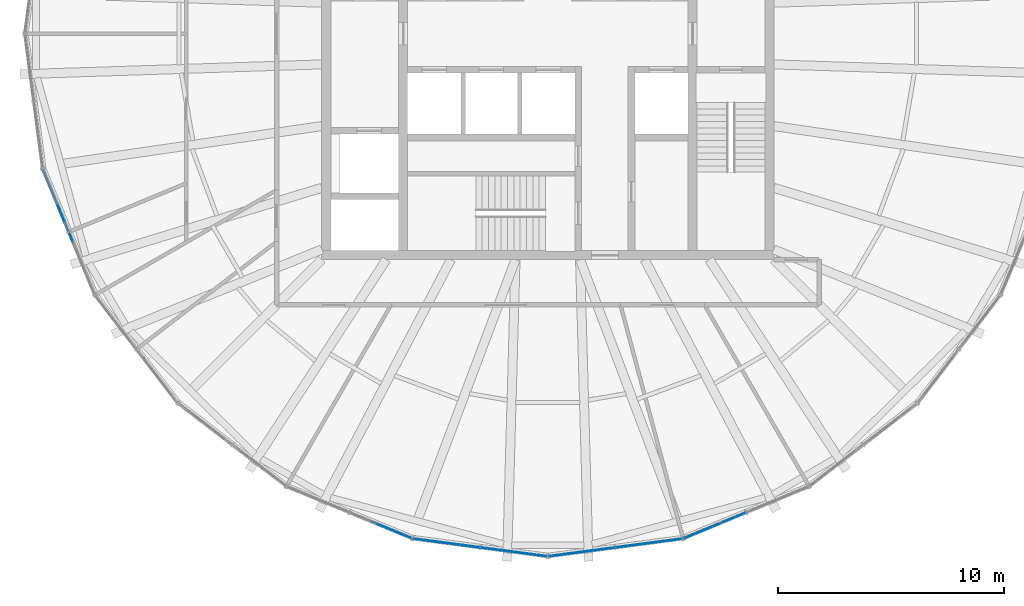
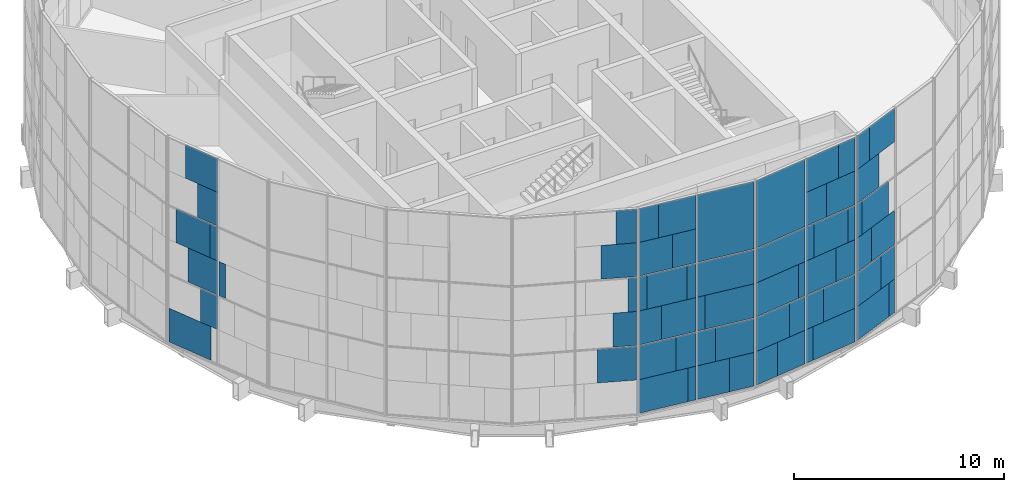
# One storey, part 10 of 23: 66 plates, 5 elements without a shape of their own.
"""IFC4 building model written with IfcOpenShell, lengths in metres."""

import ifcopenshell
import ifcopenshell.guid

model = None  # the IFC model being written
_history = None  # IfcOwnerHistory: only IFC2X3 demands one
_inside = {}  # id of a spatial element -> (the spatial element, [elements in it])
_under = {}  # id of a project, library or spatial element -> (it, [spatial elements below it])
_declared = {}  # id of a project -> (the project, [libraries it declares])
_typed = {}  # id of a type object -> (the type object, [elements of that type])
_made_of = {}  # id of a material, layer set ... -> (it, [elements and type objects made of it])


def new_model(schema):
    """Start an empty IFC model of exactly this schema.

    Asked for "IFC4X3", IfcOpenShell would pick the latest addendum, in which some entities
    have other attributes; the version numbers below select the first issue.
    IFC2X3 requires an IfcOwnerHistory on every rooted entity: one is made here for all.
    """
    global model, _history
    if schema == "IFC4X3":
        model = ifcopenshell.file(schema_version=(4, 3, 0, 0))
    else:
        model = ifcopenshell.file(schema=schema)
    _inside.clear()
    _under.clear()
    _declared.clear()
    _typed.clear()
    _made_of.clear()
    _history = None
    if model.schema == "IFC2X3":
        org = make("IfcOrganization", Name="unknown")
        user = make(
            "IfcPersonAndOrganization",
            ThePerson=make("IfcPerson", FamilyName="unknown"),
            TheOrganization=org,
        )
        app = make(
            "IfcApplication",
            ApplicationDeveloper=org,
            Version="unknown",
            ApplicationFullName="unknown",
            ApplicationIdentifier="unknown",
        )
        _history = make(
            "IfcOwnerHistory",
            OwningUser=user,
            OwningApplication=app,
            ChangeAction="ADDED",
            CreationDate=0,
        )
    return model


def make(cls, **values):
    """One entity of the class cls with the attributes given. An attribute that is None is left unset."""
    return model.create_entity(
        cls, **{name: value for name, value in values.items() if value is not None}
    )


def rooted(cls, **values):
    """An entity with a GlobalId (a new one), such as an element, a storey or a relation."""
    return make(cls, GlobalId=ifcopenshell.guid.new(), OwnerHistory=_history, **values)


def si_unit(unit_type, name, prefix=None):
    """IfcSIUnit, for example si_unit("LENGTHUNIT", "METRE", prefix="MILLI")."""
    return make("IfcSIUnit", UnitType=unit_type, Prefix=prefix, Name=name)


def assignment(units):
    """IfcUnitAssignment: the units of a project."""
    return None if units is None else make("IfcUnitAssignment", Units=units)


def point(xyz):
    """IfcCartesianPoint."""
    return None if xyz is None else make("IfcCartesianPoint", Coordinates=xyz)


def direction(xyz):
    """IfcDirection."""
    return None if xyz is None else make("IfcDirection", DirectionRatios=xyz)


def frame(location, z_axis=None, x_axis=None):
    """IfcAxis2Placement3D, a coordinate frame: its origin and axes. An axis left out is left unset."""
    return make(
        "IfcAxis2Placement3D",
        Location=point(location),
        Axis=direction(z_axis),
        RefDirection=direction(x_axis),
    )


def frame_2d(location, x_axis=None):
    """IfcAxis2Placement2D, a coordinate frame in the plane: its origin and x axis."""
    return make(
        "IfcAxis2Placement2D", Location=point(location), RefDirection=direction(x_axis)
    )


def origin():
    """The frame at (0, 0, 0) with its axes left unset."""
    return frame((0.0, 0.0, 0.0))


def origin_2d():
    """The frame at (0, 0) in the plane with its x axis left unset."""
    return frame_2d((0.0, 0.0))


def place(relative_to, where):
    """IfcLocalPlacement: puts the frame where relative to a parent placement (None: the world)."""
    return make(
        "IfcLocalPlacement", PlacementRelTo=relative_to, RelativePlacement=where
    )


def context(
    kind, dimensions, precision=None, world=None, true_north=None, identifier=None
):
    """IfcGeometricRepresentationContext, for example the 3D "Model" context."""
    return make(
        "IfcGeometricRepresentationContext",
        ContextIdentifier=identifier,
        ContextType=kind,
        CoordinateSpaceDimension=dimensions,
        Precision=precision,
        WorldCoordinateSystem=world,
        TrueNorth=true_north,
    )


def subcontext(parent, identifier, kind, view, scale=None):
    """IfcGeometricRepresentationSubContext, for example "Body" below "Model"."""
    return make(
        "IfcGeometricRepresentationSubContext",
        ContextIdentifier=identifier,
        ContextType=kind,
        ParentContext=parent,
        TargetScale=scale,
        TargetView=view,
    )


def project(units=None, contexts=None):
    """IfcProject with its units and contexts."""
    return rooted(
        "IfcProject",
        Name="project",
        RepresentationContexts=contexts,
        UnitsInContext=assignment(units),
    )


def spatial(cls, under=None, at=None, **own):
    """A site, building, storey or space (cls), placed at a placement, below another one or the project."""
    s = rooted(cls, ObjectPlacement=at, **own)
    if under is not None:
        _under.setdefault(under.id(), (under, []))[1].append(s)
    return s


def profile(cls, at=None, kind="AREA", **sizes):
    """A parametric profile (cls). Its sizes go by their IFC names, for example OverallWidth=200.0."""
    return make(cls, ProfileType=kind, Position=at, **sizes)


def rectangle(**sizes):
    """IfcRectangleProfileDef."""
    return profile("IfcRectangleProfileDef", **sizes)


def extrude(swept, where, along, depth):
    """IfcExtrudedAreaSolid: the profile swept, set in the frame where, extruded along a direction by depth."""
    return make(
        "IfcExtrudedAreaSolid",
        SweptArea=swept,
        Position=where,
        ExtrudedDirection=direction(along),
        Depth=depth,
    )


def shape(context_of_items, identifier, shape_type, items):
    """IfcShapeRepresentation: the items that make up one representation, for example the "Body"."""
    return make(
        "IfcShapeRepresentation",
        ContextOfItems=context_of_items,
        RepresentationIdentifier=identifier,
        RepresentationType=shape_type,
        Items=items,
    )


def material(Name=None, Category=None):
    """IfcMaterial."""
    return make("IfcMaterial", Name=Name, Category=Category)


def layer(
    of_material, thickness, ventilated=None, Name=None, Category=None, Priority=None
):
    """IfcMaterialLayer: one layer of a wall or slab, of a material (None: an air gap)."""
    return make(
        "IfcMaterialLayer",
        Material=of_material,
        LayerThickness=thickness,
        IsVentilated=ventilated,
        Name=Name,
        Category=Category,
        Priority=Priority,
    )


def layer_set(layers, Name=None):
    """IfcMaterialLayerSet."""
    return make("IfcMaterialLayerSet", MaterialLayers=layers, LayerSetName=Name)


def made_of(thing, what):
    """Note that an element or type object is made of a material, layer set ...; save() writes the relation."""
    if what is not None:
        _made_of.setdefault(what.id(), (what, []))[1].append(thing)
    return thing


def type_object(cls, material=None, **own):
    """A type object (cls), such as IfcWallType, which elements share."""
    return made_of(rooted(cls, **own), material)


def element(
    cls,
    number,
    at=None,
    inside=None,
    cuts=None,
    type_object=None,
    material=None,
    context=None,
    identifier="Body",
    shape_type=None,
    held_by="IfcProductDefinitionShape",
    body=None,
    shapes=None,
    **own,
):
    """One element of the class cls, such as IfcWall. Its Tag is "e" and its number.

    at: its placement. inside: the storey or other place that contains it. cuts: it is an
    opening in that element (IfcRelVoidsElement). A single representation is given by context,
    identifier, shape_type and body (its items); several are given by shapes. held_by: the class
    of the entity that holds the representations. save() writes the other relations.
    """
    e = rooted(cls, Tag="e%d" % number, ObjectPlacement=at, **own)
    if body is not None:
        shapes = [shape(context, identifier, shape_type, body)]
    if shapes is not None:
        e.Representation = make(held_by, Representations=shapes)
    if inside is not None:
        _inside.setdefault(inside.id(), (inside, []))[1].append(e)
    if cuts is not None:
        rooted(
            "IfcRelVoidsElement", RelatingBuildingElement=cuts, RelatedOpeningElement=e
        )
    if type_object is not None:
        _typed.setdefault(type_object.id(), (type_object, []))[1].append(e)
    return made_of(e, material)


def aggregate(whole, parts):
    """IfcRelAggregates: a whole, such as a stair, and the parts it consists of."""
    return rooted("IfcRelAggregates", RelatingObject=whole, RelatedObjects=parts)


def save(model, path):
    """Write the relations noted so far, then the file.

    IfcRelAggregates (storeys below a building ...), IfcRelContainedInSpatialStructure (elements
    in a storey), IfcRelDefinesByType, IfcRelAssociatesMaterial and IfcRelDeclares: one each for
    every whole, place, type object, material and project.
    """
    for whole, parts in _under.values():
        aggregate(whole, parts)
    for where, things in _inside.values():
        rooted(
            "IfcRelContainedInSpatialStructure",
            RelatedElements=things,
            RelatingStructure=where,
        )
    for kind, things in _typed.values():
        rooted("IfcRelDefinesByType", RelatedObjects=things, RelatingType=kind)
    for what, things in _made_of.values():
        rooted("IfcRelAssociatesMaterial", RelatedObjects=things, RelatingMaterial=what)
    for by, libraries in _declared.values():
        rooted("IfcRelDeclares", RelatingContext=by, RelatedDefinitions=libraries)
    model.write(path)


model = new_model("IFC4")

# Units and contexts
model_context = context("Model", 3, precision=1e-05, world=origin(), true_north=direction((0.0, 1.0)))
body_context = subcontext(model_context, "Body", "Model", "MODEL_VIEW")
ifc_project = project(units=[si_unit("LENGTHUNIT", "METRE"), si_unit("AREAUNIT", "SQUARE_METRE"), si_unit("VOLUMEUNIT", "CUBIC_METRE"), si_unit("PLANEANGLEUNIT", "RADIAN"), si_unit("MASSUNIT", "GRAM", prefix="KILO")], contexts=[model_context])

# Site, building, storey
site_placement = place(None, origin())
site = spatial("IfcSite", under=ifc_project, at=site_placement, CompositionType="ELEMENT")
building_placement = place(site_placement, origin())
building = spatial("IfcBuilding", under=site, at=building_placement, Name="Golbaran Civic Tower", CompositionType="ELEMENT")
storey_placement = place(building_placement, frame((0.0, 0.0, 220.0)))
storey = spatial("IfcBuildingStorey", under=building, at=storey_placement, Name="L53", CompositionType="ELEMENT", Elevation=220.0)

# Curtain wall, plates
ifc_material_1 = material(Name="Aluminium and glass", Category="aluminium")
curtain_wall_type = type_object("IfcCurtainWallType", Name="INNER SKIN CURTAIN WALL EXECUTIVE", PredefinedType="NOTDEFINED", material=ifc_material_1)
curtain_wall_1_placement = place(storey_placement, origin())
curtain_wall_1 = element("IfcCurtainWall", 1, at=curtain_wall_1_placement, inside=storey, type_object=curtain_wall_type, Name="Inner skin L53 facet 14 CW2", ObjectType="INNER SKIN", PredefinedType="USERDEFINED")
ifc_material_2 = material(Name="Clear insulating glass", Category="glass")
ifc_layer_1 = layer(ifc_material_2, 0.031982421875, Name="Clear insulating glass")
ifc_layer_set_1 = layer_set([ifc_layer_1], Name="Clear insulating glass")
plate_type_1 = type_object("IfcPlateType", Name="INNER SKIN CURTAIN WALL EXECUTIVE GLAZED PANEL", PredefinedType="CURTAIN_PANEL", material=ifc_layer_set_1)
plate_1_placement = place(storey_placement, frame((-21.839111328125, -7.210693359375, 0.06005859375), z_axis=(0.0, 0.0, 1.0), x_axis=(0.382683432317, -0.923879532531, 0.0)))
plate_1 = element("IfcPlate", 2, at=plate_1_placement, type_object=plate_type_1, Name="CW2 panel 1.1 part 1", PredefinedType="CURTAIN_PANEL", context=body_context, shape_type="SweptSolid", body=[
    extrude(rectangle(XDim=2.528076171875, YDim=0.031982421875, at=origin_2d()), origin(), (0.0, 0.0, 1.0), 1.955078125),
])
plate_2_placement = place(storey_placement, frame((-21.291259765625, -8.533203125, 6.0), z_axis=(0.0, 0.0, 1.0), x_axis=(0.382683432317, -0.923879532531, 0.0)))
plate_2 = element("IfcPlate", 3, at=plate_2_placement, type_object=plate_type_1, Name="CW2 panel 1.2 part 5", PredefinedType="CURTAIN_PANEL", context=body_context, shape_type="SweptSolid", body=[
    extrude(rectangle(XDim=0.468505859375, YDim=0.031982421875, at=origin_2d()), origin(), (0.0, 0.0, 1.0), 1.969970703125),
])
plate_3_placement = place(storey_placement, frame((-21.434814453125, -8.1865234375, 8.030029296875), z_axis=(0.0, 0.0, 1.0), x_axis=(0.382683432317, -0.923879532531, 0.0)))
plate_3 = element("IfcPlate", 4, at=plate_3_placement, type_object=plate_type_1, Name="CW2 panel 1.3 part 2", PredefinedType="CURTAIN_PANEL", context=body_context, shape_type="SweptSolid", body=[
    extrude(rectangle(XDim=1.218505859375, YDim=0.031982421875, at=origin_2d()), origin(), (0.0, 0.0, 1.0), 1.955078125),
])
plate_4_placement = place(storey_placement, frame((-21.5732421875, -7.8525390625, 9.98486328125), z_axis=(0.0, 0.0, 1.0), x_axis=(0.382683432317, -0.923879532531, 0.0)))
plate_4 = element("IfcPlate", 5, at=plate_4_placement, type_object=plate_type_1, Name="CW2 panel 1.3 part 4", PredefinedType="CURTAIN_PANEL", context=body_context, shape_type="SweptSolid", body=[
    extrude(rectangle(XDim=1.941650390625, YDim=0.031982421875, at=origin_2d()), origin(), (0.0, 0.0, 1.0), 1.955078125),
])

curtain_wall_2_placement = place(storey_placement, origin())
curtain_wall_2 = element("IfcCurtainWall", 6, at=curtain_wall_2_placement, inside=storey, type_object=curtain_wall_type, Name="Inner skin L53 facet 17 CW2", ObjectType="INNER SKIN", PredefinedType="USERDEFINED")
plate_5_placement = place(storey_placement, frame((-6.915771484375, -21.961181640625, 2.014892578125), z_axis=(0.0, 0.0, 1.0), x_axis=(0.923879532531, -0.382683432317, 0.0)))
plate_5 = element("IfcPlate", 7, at=plate_5_placement, type_object=plate_type_1, Name="CW2 panel 2.1 part 4", PredefinedType="CURTAIN_PANEL", context=body_context, shape_type="SweptSolid", body=[
    extrude(rectangle(XDim=1.8896484375, YDim=0.031982421875, at=origin_2d()), origin(), (0.0, 0.0, 1.0), 1.955078125),
])
plate_6_placement = place(storey_placement, frame((-6.5693359375, -22.104736328125, 4.02978515625), z_axis=(0.0, 0.0, 1.0), x_axis=(0.923879532531, -0.382683432317, 0.0)))
plate_6 = element("IfcPlate", 8, at=plate_6_placement, type_object=plate_type_1, Name="CW2 panel 2.2 part 2", PredefinedType="CURTAIN_PANEL", context=body_context, shape_type="SweptSolid", body=[
    extrude(rectangle(XDim=1.1396484375, YDim=0.031982421875, at=origin_2d()), origin(), (0.0, 0.0, 1.0), 1.969970703125),
])
plate_7_placement = place(storey_placement, frame((-6.233154296875, -22.243896484375, 6.0), z_axis=(0.0, 0.0, 1.0), x_axis=(0.923879532531, -0.382683432317, 0.0)))
plate_7 = element("IfcPlate", 9, at=plate_7_placement, type_object=plate_type_1, Name="CW2 panel 2.2 part 5", PredefinedType="CURTAIN_PANEL", context=body_context, shape_type="SweptSolid", body=[
    extrude(rectangle(XDim=0.41162109375, YDim=0.031982421875, at=origin_2d()), origin(), (0.0, 0.0, 1.0), 1.969970703125),
])

curtain_wall_3_placement = place(storey_placement, origin())
curtain_wall_3 = element("IfcCurtainWall", 10, at=curtain_wall_3_placement, inside=storey, type_object=curtain_wall_type, Name="Inner skin L53 facet 18 CW2", ObjectType="INNER SKIN", PredefinedType="USERDEFINED")
plate_8_placement = place(storey_placement, frame((-4.6748046875, -22.5185546875, 0.06005859375), z_axis=(0.0, 0.0, 1.0), x_axis=(0.991444861365, -0.130526192289, 0.0)))
plate_8 = element("IfcPlate", 11, at=plate_8_placement, type_object=plate_type_1, Name="CW2 panel 1.1 part 1", PredefinedType="CURTAIN_PANEL", context=body_context, shape_type="SweptSolid", body=[
    extrude(rectangle(XDim=2.528076171875, YDim=0.031982421875, at=origin_2d()), origin(), (0.0, 0.0, 1.0), 1.955078125),
])
plate_9_placement = place(storey_placement, frame((-4.99169921875, -22.476806640625, 2.014892578125), z_axis=(0.0, 0.0, 1.0), x_axis=(0.991444861365, -0.130526192289, 0.0)))
plate_9 = element("IfcPlate", 12, at=plate_9_placement, type_object=plate_type_1, Name="CW2 panel 1.1 part 3", PredefinedType="CURTAIN_PANEL", context=body_context, shape_type="SweptSolid", body=[
    extrude(rectangle(XDim=1.888916015625, YDim=0.031982421875, at=origin_2d()), origin(), (0.0, 0.0, 1.0), 1.955078125),
])
plate_10_placement = place(storey_placement, frame((-5.363525390625, -22.427978515625, 4.02978515625), z_axis=(0.0, 0.0, 1.0), x_axis=(0.991444861365, -0.130526192289, 0.0)))
plate_10 = element("IfcPlate", 13, at=plate_10_placement, type_object=plate_type_1, Name="CW2 panel 1.2 part 1", PredefinedType="CURTAIN_PANEL", context=body_context, shape_type="SweptSolid", body=[
    extrude(rectangle(XDim=1.138916015625, YDim=0.031982421875, at=origin_2d()), origin(), (0.0, 0.0, 1.0), 1.969970703125),
])
plate_11_placement = place(storey_placement, frame((-5.723876953125, -22.38037109375, 6.0), z_axis=(0.0, 0.0, 1.0), x_axis=(0.991444861365, -0.130526192289, 0.0)))
plate_11 = element("IfcPlate", 14, at=plate_11_placement, type_object=plate_type_1, Name="CW2 panel 1.2 part 3", PredefinedType="CURTAIN_PANEL", context=body_context, shape_type="SweptSolid", body=[
    extrude(rectangle(XDim=0.412109375, YDim=0.031982421875, at=origin_2d()), origin(), (0.0, 0.0, 1.0), 1.969970703125),
])
plate_12_placement = place(storey_placement, frame((-3.255859375, -22.705322265625, 6.0), z_axis=(0.0, 0.0, 1.0), x_axis=(0.991444861365, -0.130526192289, 0.0)))
plate_12 = element("IfcPlate", 15, at=plate_12_placement, type_object=plate_type_1, Name="CW2 panel 1.2 part 5", PredefinedType="CURTAIN_PANEL", context=body_context, shape_type="SweptSolid", body=[
    extrude(rectangle(XDim=0.468505859375, YDim=0.031982421875, at=origin_2d()), origin(), (0.0, 0.0, 1.0), 1.969970703125),
])
plate_13_placement = place(storey_placement, frame((-3.627685546875, -22.656494140625, 8.030029296875), z_axis=(0.0, 0.0, 1.0), x_axis=(0.991444861365, -0.130526192289, 0.0)))
plate_13 = element("IfcPlate", 16, at=plate_13_placement, type_object=plate_type_1, Name="CW2 panel 1.3 part 2", PredefinedType="CURTAIN_PANEL", context=body_context, shape_type="SweptSolid", body=[
    extrude(rectangle(XDim=1.218505859375, YDim=0.031982421875, at=origin_2d()), origin(), (0.0, 0.0, 1.0), 1.955078125),
])
plate_14_placement = place(storey_placement, frame((-3.986083984375, -22.609130859375, 9.98486328125), z_axis=(0.0, 0.0, 1.0), x_axis=(0.991444861365, -0.130526192289, 0.0)))
plate_14 = element("IfcPlate", 17, at=plate_14_placement, type_object=plate_type_1, Name="CW2 panel 1.3 part 4", PredefinedType="CURTAIN_PANEL", context=body_context, shape_type="SweptSolid", body=[
    extrude(rectangle(XDim=1.941650390625, YDim=0.031982421875, at=origin_2d()), origin(), (0.0, 0.0, 1.0), 1.955078125),
])
plate_15_placement = place(storey_placement, frame((-0.686279296875, -23.043701171875, 0.06005859375), z_axis=(0.0, 0.0, 1.0), x_axis=(0.991444861365, -0.130526192289, 0.0)))
plate_15 = element("IfcPlate", 18, at=plate_15_placement, type_object=plate_type_1, Name="CW2 panel 2.1 part 2", PredefinedType="CURTAIN_PANEL", context=body_context, shape_type="SweptSolid", body=[
    extrude(rectangle(XDim=1.2646484375, YDim=0.031982421875, at=origin_2d()), origin(), (0.0, 0.0, 1.0), 1.955078125),
])
plate_16_placement = place(storey_placement, frame((-1.044189453125, -22.99658203125, 2.014892578125), z_axis=(0.0, 0.0, 1.0), x_axis=(0.991444861365, -0.130526192289, 0.0)))
plate_16 = element("IfcPlate", 19, at=plate_16_placement, type_object=plate_type_1, Name="CW2 panel 2.1 part 4", PredefinedType="CURTAIN_PANEL", context=body_context, shape_type="SweptSolid", body=[
    extrude(rectangle(XDim=1.986572265625, YDim=0.031982421875, at=origin_2d()), origin(), (0.0, 0.0, 1.0), 1.955078125),
])
plate_17_placement = place(storey_placement, frame((-1.31298828125, -22.961181640625, 4.02978515625), z_axis=(0.0, 0.0, 1.0), x_axis=(0.991444861365, -0.130526192289, 0.0)))
plate_17 = element("IfcPlate", 20, at=plate_17_placement, type_object=plate_type_1, Name="CW2 panel 2.2 part 2", PredefinedType="CURTAIN_PANEL", context=body_context, shape_type="SweptSolid", body=[
    extrude(rectangle(XDim=2.528564453125, YDim=0.031982421875, at=origin_2d()), origin(), (0.0, 0.0, 1.0), 1.969970703125),
])
plate_18_placement = place(storey_placement, frame((-1.51171875, -22.93505859375, 6.0), z_axis=(0.0, 0.0, 1.0), x_axis=(0.991444861365, -0.130526192289, 0.0)))
plate_18 = element("IfcPlate", 21, at=plate_18_placement, type_object=plate_type_1, Name="CW2 panel 2.2 part 3", PredefinedType="CURTAIN_PANEL", context=body_context, shape_type="SweptSolid", body=[
    extrude(rectangle(XDim=2.9296875, YDim=0.031982421875, at=origin_2d()), origin(), (0.0, 0.0, 1.0), 1.969970703125),
])
plate_19_placement = place(storey_placement, frame((-1.51171875, -22.93505859375, 8.0302734375), z_axis=(0.0, 0.0, 1.0), x_axis=(0.991444861365, -0.130526192289, 0.0)))
plate_19 = element("IfcPlate", 22, at=plate_19_placement, type_object=plate_type_1, Name="CW2 panel 2.3", PredefinedType="CURTAIN_PANEL", context=body_context, shape_type="SweptSolid", body=[
    extrude(rectangle(XDim=2.9296875, YDim=0.031982421875, at=origin_2d()), origin(), (0.0, 0.0, 1.0), 3.909912109375),
])

curtain_wall_4_placement = place(storey_placement, origin())
curtain_wall_4 = element("IfcCurtainWall", 23, at=curtain_wall_4_placement, inside=storey, type_object=curtain_wall_type, Name="Inner skin L53 facet 19 CW2", ObjectType="INNER SKIN", PredefinedType="USERDEFINED")
plate_20_placement = place(storey_placement, frame((0.68603515625, -23.043701171875, 0.06005859375), z_axis=(0.0, 0.0, 1.0), x_axis=(0.991444861365, 0.130526192289, 0.0)))
plate_20 = element("IfcPlate", 24, at=plate_20_placement, type_object=plate_type_1, Name="CW2 panel 1.1 part 1", PredefinedType="CURTAIN_PANEL", context=body_context, shape_type="SweptSolid", body=[
    extrude(rectangle(XDim=1.263916015625, YDim=0.031982421875, at=origin_2d()), origin(), (0.0, 0.0, 1.0), 1.955078125),
])
plate_21_placement = place(storey_placement, frame((1.04443359375, -22.99658203125, 2.014892578125), z_axis=(0.0, 0.0, 1.0), x_axis=(0.991444861365, 0.130526192289, 0.0)))
plate_21 = element("IfcPlate", 25, at=plate_21_placement, type_object=plate_type_1, Name="CW2 panel 1.1 part 3", PredefinedType="CURTAIN_PANEL", context=body_context, shape_type="SweptSolid", body=[
    extrude(rectangle(XDim=1.987060546875, YDim=0.031982421875, at=origin_2d()), origin(), (0.0, 0.0, 1.0), 1.955078125),
])
plate_22_placement = place(storey_placement, frame((1.312744140625, -22.961181640625, 4.02978515625), z_axis=(0.0, 0.0, 1.0), x_axis=(0.991444861365, 0.130526192289, 0.0)))
plate_22 = element("IfcPlate", 26, at=plate_22_placement, type_object=plate_type_1, Name="CW2 panel 1.2 part 1", PredefinedType="CURTAIN_PANEL", context=body_context, shape_type="SweptSolid", body=[
    extrude(rectangle(XDim=2.528076171875, YDim=0.031982421875, at=origin_2d()), origin(), (0.0, 0.0, 1.0), 1.969970703125),
])
plate_23_placement = place(storey_placement, frame((1.51171875, -22.93505859375, 6.0), z_axis=(0.0, 0.0, 1.0), x_axis=(0.991444861365, 0.130526192289, 0.0)))
plate_23 = element("IfcPlate", 27, at=plate_23_placement, type_object=plate_type_1, Name="CW2 panel 1.2 part 3", PredefinedType="CURTAIN_PANEL", context=body_context, shape_type="SweptSolid", body=[
    extrude(rectangle(XDim=2.9296875, YDim=0.031982421875, at=origin_2d()), origin(), (0.0, 0.0, 1.0), 1.969970703125),
])
plate_24_placement = place(storey_placement, frame((1.51171875, -22.93505859375, 8.0302734375), z_axis=(0.0, 0.0, 1.0), x_axis=(0.991444861365, 0.130526192289, 0.0)))
plate_24 = element("IfcPlate", 28, at=plate_24_placement, type_object=plate_type_1, Name="CW2 panel 1.3", PredefinedType="CURTAIN_PANEL", context=body_context, shape_type="SweptSolid", body=[
    extrude(rectangle(XDim=2.9296875, YDim=0.031982421875, at=origin_2d()), origin(), (0.0, 0.0, 1.0), 3.909912109375),
])
plate_25_placement = place(storey_placement, frame((4.674072265625, -22.5185546875, 0.06005859375), z_axis=(0.0, 0.0, 1.0), x_axis=(0.991444861365, 0.130526192289, 0.0)))
plate_25 = element("IfcPlate", 29, at=plate_25_placement, type_object=plate_type_1, Name="CW2 panel 2.1 part 2", PredefinedType="CURTAIN_PANEL", context=body_context, shape_type="SweptSolid", body=[
    extrude(rectangle(XDim=2.529541015625, YDim=0.031982421875, at=origin_2d()), origin(), (0.0, 0.0, 1.0), 1.955078125),
])
plate_26_placement = place(storey_placement, frame((4.9912109375, -22.476806640625, 2.014892578125), z_axis=(0.0, 0.0, 1.0), x_axis=(0.991444861365, 0.130526192289, 0.0)))
plate_26 = element("IfcPlate", 30, at=plate_26_placement, type_object=plate_type_1, Name="CW2 panel 2.1 part 4", PredefinedType="CURTAIN_PANEL", context=body_context, shape_type="SweptSolid", body=[
    extrude(rectangle(XDim=1.8896484375, YDim=0.031982421875, at=origin_2d()), origin(), (0.0, 0.0, 1.0), 1.955078125),
])
plate_27_placement = place(storey_placement, frame((5.363037109375, -22.427978515625, 4.02978515625), z_axis=(0.0, 0.0, 1.0), x_axis=(0.991444861365, 0.130526192289, 0.0)))
plate_27 = element("IfcPlate", 31, at=plate_27_placement, type_object=plate_type_1, Name="CW2 panel 2.2 part 2", PredefinedType="CURTAIN_PANEL", context=body_context, shape_type="SweptSolid", body=[
    extrude(rectangle(XDim=1.1396484375, YDim=0.031982421875, at=origin_2d()), origin(), (0.0, 0.0, 1.0), 1.969970703125),
])
plate_28_placement = place(storey_placement, frame((3.256103515625, -22.705322265625, 6.0), z_axis=(0.0, 0.0, 1.0), x_axis=(0.991444861365, 0.130526192289, 0.0)))
plate_28 = element("IfcPlate", 32, at=plate_28_placement, type_object=plate_type_1, Name="CW2 panel 2.2 part 3", PredefinedType="CURTAIN_PANEL", context=body_context, shape_type="SweptSolid", body=[
    extrude(rectangle(XDim=0.468994140625, YDim=0.031982421875, at=origin_2d()), origin(), (0.0, 0.0, 1.0), 1.969970703125),
])
plate_29_placement = place(storey_placement, frame((5.723876953125, -22.38037109375, 6.0), z_axis=(0.0, 0.0, 1.0), x_axis=(0.991444861365, 0.130526192289, 0.0)))
plate_29 = element("IfcPlate", 33, at=plate_29_placement, type_object=plate_type_1, Name="CW2 panel 2.2 part 5", PredefinedType="CURTAIN_PANEL", context=body_context, shape_type="SweptSolid", body=[
    extrude(rectangle(XDim=0.41162109375, YDim=0.031982421875, at=origin_2d()), origin(), (0.0, 0.0, 1.0), 1.969970703125),
])
plate_30_placement = place(storey_placement, frame((3.627685546875, -22.656494140625, 8.030029296875), z_axis=(0.0, 0.0, 1.0), x_axis=(0.991444861365, 0.130526192289, 0.0)))
plate_30 = element("IfcPlate", 34, at=plate_30_placement, type_object=plate_type_1, Name="CW2 panel 2.3 part 1", PredefinedType="CURTAIN_PANEL", context=body_context, shape_type="SweptSolid", body=[
    extrude(rectangle(XDim=1.218994140625, YDim=0.031982421875, at=origin_2d()), origin(), (0.0, 0.0, 1.0), 1.955078125),
])
plate_31_placement = place(storey_placement, frame((3.985595703125, -22.609375, 9.98486328125), z_axis=(0.0, 0.0, 1.0), x_axis=(0.991444861365, 0.130526192289, 0.0)))
plate_31 = element("IfcPlate", 35, at=plate_31_placement, type_object=plate_type_1, Name="CW2 panel 2.3 part 3", PredefinedType="CURTAIN_PANEL", context=body_context, shape_type="SweptSolid", body=[
    extrude(rectangle(XDim=1.94091796875, YDim=0.031982421875, at=origin_2d()), origin(), (0.0, 0.0, 1.0), 1.955078125),
])

curtain_wall_5_placement = place(storey_placement, origin())
curtain_wall_5 = element("IfcCurtainWall", 36, at=curtain_wall_5_placement, inside=storey, type_object=curtain_wall_type, Name="Inner skin L53 facet 20 CW2", ObjectType="INNER SKIN", PredefinedType="USERDEFINED")
plate_32_placement = place(storey_placement, frame((7.210693359375, -21.839111328125, 0.06005859375), z_axis=(0.0, 0.0, 1.0), x_axis=(0.923879532531, 0.382683432317, 0.0)))
plate_32 = element("IfcPlate", 37, at=plate_32_placement, type_object=plate_type_1, Name="CW2 panel 1.1 part 1", PredefinedType="CURTAIN_PANEL", context=body_context, shape_type="SweptSolid", body=[
    extrude(rectangle(XDim=2.528076171875, YDim=0.031982421875, at=origin_2d()), origin(), (0.0, 0.0, 1.0), 1.955078125),
])
plate_33_placement = place(storey_placement, frame((6.91552734375, -21.96142578125, 2.014892578125), z_axis=(0.0, 0.0, 1.0), x_axis=(0.923879532531, 0.382683432317, 0.0)))
plate_33 = element("IfcPlate", 38, at=plate_33_placement, type_object=plate_type_1, Name="CW2 panel 1.1 part 3", PredefinedType="CURTAIN_PANEL", context=body_context, shape_type="SweptSolid", body=[
    extrude(rectangle(XDim=1.888916015625, YDim=0.031982421875, at=origin_2d()), origin(), (0.0, 0.0, 1.0), 1.955078125),
])
plate_34_placement = place(storey_placement, frame((6.569091796875, -22.104736328125, 4.02978515625), z_axis=(0.0, 0.0, 1.0), x_axis=(0.923879532531, 0.382683432317, 0.0)))
plate_34 = element("IfcPlate", 39, at=plate_34_placement, type_object=plate_type_1, Name="CW2 panel 1.2 part 1", PredefinedType="CURTAIN_PANEL", context=body_context, shape_type="SweptSolid", body=[
    extrude(rectangle(XDim=1.138916015625, YDim=0.031982421875, at=origin_2d()), origin(), (0.0, 0.0, 1.0), 1.969970703125),
])
plate_35_placement = place(storey_placement, frame((6.233154296875, -22.243896484375, 6.0), z_axis=(0.0, 0.0, 1.0), x_axis=(0.923879532531, 0.382683432317, 0.0)))
plate_35 = element("IfcPlate", 40, at=plate_35_placement, type_object=plate_type_1, Name="CW2 panel 1.2 part 3", PredefinedType="CURTAIN_PANEL", context=body_context, shape_type="SweptSolid", body=[
    extrude(rectangle(XDim=0.412109375, YDim=0.031982421875, at=origin_2d()), origin(), (0.0, 0.0, 1.0), 1.969970703125),
])
plate_36_placement = place(storey_placement, frame((7.8525390625, -21.5732421875, 9.98486328125), z_axis=(0.0, 0.0, 1.0), x_axis=(0.923879532531, 0.382683432317, 0.0)))
plate_36 = element("IfcPlate", 41, at=plate_36_placement, type_object=plate_type_1, Name="CW2 panel 1.3 part 4", PredefinedType="CURTAIN_PANEL", context=body_context, shape_type="SweptSolid", body=[
    extrude(rectangle(XDim=1.941650390625, YDim=0.031982421875, at=origin_2d()), origin(), (0.0, 0.0, 1.0), 1.955078125),
])

# Plate
ifc_material_3 = material(Name="Aluminium faced opaque infill panel", Category="aluminium")
ifc_layer_2 = layer(ifc_material_3, 0.031982421875, Name="Aluminium faced opaque infill panel")
ifc_layer_set_2 = layer_set([ifc_layer_2], Name="Aluminium faced opaque infill panel")
plate_type_2 = type_object("IfcPlateType", Name="INNER SKIN CURTAIN WALL EXECUTIVE OPAQUE INFILL PANEL", PredefinedType="CURTAIN_PANEL", material=ifc_layer_set_2)
plate_37_placement = place(storey_placement, frame((-21.40087890625, -8.268798828125, 2.014892578125), z_axis=(0.0, 0.0, 1.0), x_axis=(0.382683432317, -0.923879532531, 0.0)))
plate_37 = element("IfcPlate", 42, at=plate_37_placement, type_object=plate_type_2, Name="CW2 infill panel 1.1 part 4", PredefinedType="CURTAIN_PANEL", context=body_context, shape_type="SweptSolid", body=[
    extrude(rectangle(XDim=1.04052734375, YDim=0.031982421875, at=origin_2d()), origin(), (0.0, 0.0, 1.0), 1.955078125),
])

plate_38_placement = place(storey_placement, frame((-21.544189453125, -7.92236328125, 4.02978515625), z_axis=(0.0, 0.0, 1.0), x_axis=(0.382683432317, -0.923879532531, 0.0)))
plate_38 = element("IfcPlate", 43, at=plate_38_placement, type_object=plate_type_2, Name="CW2 infill panel 1.2 part 2", PredefinedType="CURTAIN_PANEL", context=body_context, shape_type="SweptSolid", body=[
    extrude(rectangle(XDim=1.79052734375, YDim=0.031982421875, at=origin_2d()), origin(), (0.0, 0.0, 1.0), 1.969970703125),
])

plate_39_placement = place(storey_placement, frame((-21.77294921875, -7.3701171875, 6.0), z_axis=(0.0, 0.0, 1.0), x_axis=(0.382683432317, -0.923879532531, 0.0)))
plate_39 = element("IfcPlate", 44, at=plate_39_placement, type_object=plate_type_2, Name="CW2 infill panel 1.2 part 4", PredefinedType="CURTAIN_PANEL", context=body_context, shape_type="SweptSolid", body=[
    extrude(rectangle(XDim=2.049072265625, YDim=0.031982421875, at=origin_2d()), origin(), (0.0, 0.0, 1.0), 1.969970703125),
])

plate_40_placement = place(storey_placement, frame((-21.10205078125, -8.990234375, 4.02978515625), z_axis=(0.0, 0.0, 1.0), x_axis=(0.382683432317, -0.923879532531, 0.0)))
plate_40 = element("IfcPlate", 45, at=plate_40_placement, type_object=plate_type_2, Name="CW2 infill panel 2.2 part 1", PredefinedType="CURTAIN_PANEL", context=body_context, shape_type="SweptSolid", body=[
    extrude(rectangle(XDim=0.40087890625, YDim=0.031982421875, at=origin_2d()), origin(), (0.0, 0.0, 1.0), 1.969970703125),
])

aggregate(curtain_wall_1, [plate_1, plate_37, plate_38, plate_39, plate_2, plate_3, plate_4, plate_40])

plate_41_placement = place(storey_placement, frame((-6.833251953125, -21.995361328125, 8.030029296875), z_axis=(0.0, 0.0, 1.0), x_axis=(0.923879532531, -0.382683432317, 0.0)))
plate_41 = element("IfcPlate", 46, at=plate_41_placement, type_object=plate_type_2, Name="CW2 infill panel 2.3 part 2", PredefinedType="CURTAIN_PANEL", context=body_context, shape_type="SweptSolid", body=[
    extrude(rectangle(XDim=1.710693359375, YDim=0.031982421875, at=origin_2d()), origin(), (0.0, 0.0, 1.0), 1.955078125),
])

plate_42_placement = place(storey_placement, frame((-6.49951171875, -22.133544921875, 9.98486328125), z_axis=(0.0, 0.0, 1.0), x_axis=(0.923879532531, -0.382683432317, 0.0)))
plate_42 = element("IfcPlate", 47, at=plate_42_placement, type_object=plate_type_2, Name="CW2 infill panel 2.3 part 4", PredefinedType="CURTAIN_PANEL", context=body_context, shape_type="SweptSolid", body=[
    extrude(rectangle(XDim=0.988525390625, YDim=0.031982421875, at=origin_2d()), origin(), (0.0, 0.0, 1.0), 1.955078125),
])

aggregate(curtain_wall_2, [plate_5, plate_6, plate_7, plate_41, plate_42])

plate_43_placement = place(storey_placement, frame((-3.22265625, -22.709716796875, 0.06005859375), z_axis=(0.0, 0.0, 1.0), x_axis=(0.991444861365, -0.130526192289, 0.0)))
plate_43 = element("IfcPlate", 48, at=plate_43_placement, type_object=plate_type_2, Name="CW2 infill panel 1.1 part 2", PredefinedType="CURTAIN_PANEL", context=body_context, shape_type="SweptSolid", body=[
    extrude(rectangle(XDim=0.401611328125, YDim=0.031982421875, at=origin_2d()), origin(), (0.0, 0.0, 1.0), 1.955078125),
])

plate_44_placement = place(storey_placement, frame((-3.539306640625, -22.66796875, 2.014892578125), z_axis=(0.0, 0.0, 1.0), x_axis=(0.991444861365, -0.130526192289, 0.0)))
plate_44 = element("IfcPlate", 49, at=plate_44_placement, type_object=plate_type_2, Name="CW2 infill panel 1.1 part 4", PredefinedType="CURTAIN_PANEL", context=body_context, shape_type="SweptSolid", body=[
    extrude(rectangle(XDim=1.04052734375, YDim=0.031982421875, at=origin_2d()), origin(), (0.0, 0.0, 1.0), 1.955078125),
])

plate_45_placement = place(storey_placement, frame((-3.9111328125, -22.619140625, 4.02978515625), z_axis=(0.0, 0.0, 1.0), x_axis=(0.991444861365, -0.130526192289, 0.0)))
plate_45 = element("IfcPlate", 50, at=plate_45_placement, type_object=plate_type_2, Name="CW2 infill panel 1.2 part 2", PredefinedType="CURTAIN_PANEL", context=body_context, shape_type="SweptSolid", body=[
    extrude(rectangle(XDim=1.79052734375, YDim=0.031982421875, at=origin_2d()), origin(), (0.0, 0.0, 1.0), 1.969970703125),
])

plate_46_placement = place(storey_placement, frame((-4.50390625, -22.541015625, 6.0), z_axis=(0.0, 0.0, 1.0), x_axis=(0.991444861365, -0.130526192289, 0.0)))
plate_46 = element("IfcPlate", 51, at=plate_46_placement, type_object=plate_type_2, Name="CW2 infill panel 1.2 part 4", PredefinedType="CURTAIN_PANEL", context=body_context, shape_type="SweptSolid", body=[
    extrude(rectangle(XDim=2.049072265625, YDim=0.031982421875, at=origin_2d()), origin(), (0.0, 0.0, 1.0), 1.969970703125),
])

plate_47_placement = place(storey_placement, frame((-5.079833984375, -22.46533203125, 8.030029296875), z_axis=(0.0, 0.0, 1.0), x_axis=(0.991444861365, -0.130526192289, 0.0)))
plate_47 = element("IfcPlate", 52, at=plate_47_placement, type_object=plate_type_2, Name="CW2 infill panel 1.3 part 1", PredefinedType="CURTAIN_PANEL", context=body_context, shape_type="SweptSolid", body=[
    extrude(rectangle(XDim=1.7109375, YDim=0.031982421875, at=origin_2d()), origin(), (0.0, 0.0, 1.0), 1.955078125),
])

plate_48_placement = place(storey_placement, frame((-5.438232421875, -22.41796875, 9.98486328125), z_axis=(0.0, 0.0, 1.0), x_axis=(0.991444861365, -0.130526192289, 0.0)))
plate_48 = element("IfcPlate", 53, at=plate_48_placement, type_object=plate_type_2, Name="CW2 infill panel 1.3 part 3", PredefinedType="CURTAIN_PANEL", context=body_context, shape_type="SweptSolid", body=[
    extrude(rectangle(XDim=0.988037109375, YDim=0.031982421875, at=origin_2d()), origin(), (0.0, 0.0, 1.0), 1.955078125),
])

plate_49_placement = place(storey_placement, frame((-2.138671875, -22.8525390625, 0.06005859375), z_axis=(0.0, 0.0, 1.0), x_axis=(0.991444861365, -0.130526192289, 0.0)))
plate_49 = element("IfcPlate", 54, at=plate_49_placement, type_object=plate_type_2, Name="CW2 infill panel 2.1 part 1", PredefinedType="CURTAIN_PANEL", context=body_context, shape_type="SweptSolid", body=[
    extrude(rectangle(XDim=1.6650390625, YDim=0.031982421875, at=origin_2d()), origin(), (0.0, 0.0, 1.0), 1.955078125),
])

plate_50_placement = place(storey_placement, frame((-2.49658203125, -22.805419921875, 2.014892578125), z_axis=(0.0, 0.0, 1.0), x_axis=(0.991444861365, -0.130526192289, 0.0)))
plate_50 = element("IfcPlate", 55, at=plate_50_placement, type_object=plate_type_2, Name="CW2 infill panel 2.1 part 3", PredefinedType="CURTAIN_PANEL", context=body_context, shape_type="SweptSolid", body=[
    extrude(rectangle(XDim=0.943115234375, YDim=0.031982421875, at=origin_2d()), origin(), (0.0, 0.0, 1.0), 1.955078125),
])

plate_51_placement = place(storey_placement, frame((-2.76513671875, -22.77001953125, 4.02978515625), z_axis=(0.0, 0.0, 1.0), x_axis=(0.991444861365, -0.130526192289, 0.0)))
plate_51 = element("IfcPlate", 56, at=plate_51_placement, type_object=plate_type_2, Name="CW2 infill panel 2.2 part 1", PredefinedType="CURTAIN_PANEL", context=body_context, shape_type="SweptSolid", body=[
    extrude(rectangle(XDim=0.40087890625, YDim=0.031982421875, at=origin_2d()), origin(), (0.0, 0.0, 1.0), 1.969970703125),
])

aggregate(curtain_wall_3, [plate_8, plate_43, plate_9, plate_44, plate_10, plate_45, plate_11, plate_46, plate_12, plate_47, plate_13, plate_48, plate_14, plate_49, plate_15, plate_50, plate_16, plate_51, plate_17, plate_18, plate_19])

plate_52_placement = place(storey_placement, frame((2.138427734375, -22.8525390625, 0.06005859375), z_axis=(0.0, 0.0, 1.0), x_axis=(0.991444861365, 0.130526192289, 0.0)))
plate_52 = element("IfcPlate", 57, at=plate_52_placement, type_object=plate_type_2, Name="CW2 infill panel 1.1 part 2", PredefinedType="CURTAIN_PANEL", context=body_context, shape_type="SweptSolid", body=[
    extrude(rectangle(XDim=1.66552734375, YDim=0.031982421875, at=origin_2d()), origin(), (0.0, 0.0, 1.0), 1.955078125),
])

plate_53_placement = place(storey_placement, frame((2.496826171875, -22.80517578125, 2.014892578125), z_axis=(0.0, 0.0, 1.0), x_axis=(0.991444861365, 0.130526192289, 0.0)))
plate_53 = element("IfcPlate", 58, at=plate_53_placement, type_object=plate_type_2, Name="CW2 infill panel 1.1 part 4", PredefinedType="CURTAIN_PANEL", context=body_context, shape_type="SweptSolid", body=[
    extrude(rectangle(XDim=0.942626953125, YDim=0.031982421875, at=origin_2d()), origin(), (0.0, 0.0, 1.0), 1.955078125),
])

plate_54_placement = place(storey_placement, frame((2.764892578125, -22.77001953125, 4.02978515625), z_axis=(0.0, 0.0, 1.0), x_axis=(0.991444861365, 0.130526192289, 0.0)))
plate_54 = element("IfcPlate", 59, at=plate_54_placement, type_object=plate_type_2, Name="CW2 infill panel 1.2 part 2", PredefinedType="CURTAIN_PANEL", context=body_context, shape_type="SweptSolid", body=[
    extrude(rectangle(XDim=0.401611328125, YDim=0.031982421875, at=origin_2d()), origin(), (0.0, 0.0, 1.0), 1.969970703125),
])

plate_55_placement = place(storey_placement, frame((3.2216796875, -22.7099609375, 0.06005859375), z_axis=(0.0, 0.0, 1.0), x_axis=(0.991444861365, 0.130526192289, 0.0)))
plate_55 = element("IfcPlate", 60, at=plate_55_placement, type_object=plate_type_2, Name="CW2 infill panel 2.1 part 1", PredefinedType="CURTAIN_PANEL", context=body_context, shape_type="SweptSolid", body=[
    extrude(rectangle(XDim=0.39990234375, YDim=0.031982421875, at=origin_2d()), origin(), (0.0, 0.0, 1.0), 1.955078125),
])

plate_56_placement = place(storey_placement, frame((3.5390625, -22.66796875, 2.014892578125), z_axis=(0.0, 0.0, 1.0), x_axis=(0.991444861365, 0.130526192289, 0.0)))
plate_56 = element("IfcPlate", 61, at=plate_56_placement, type_object=plate_type_2, Name="CW2 infill panel 2.1 part 3", PredefinedType="CURTAIN_PANEL", context=body_context, shape_type="SweptSolid", body=[
    extrude(rectangle(XDim=1.0400390625, YDim=0.031982421875, at=origin_2d()), origin(), (0.0, 0.0, 1.0), 1.955078125),
])

plate_57_placement = place(storey_placement, frame((3.910888671875, -22.619140625, 4.02978515625), z_axis=(0.0, 0.0, 1.0), x_axis=(0.991444861365, 0.130526192289, 0.0)))
plate_57 = element("IfcPlate", 62, at=plate_57_placement, type_object=plate_type_2, Name="CW2 infill panel 2.2 part 1", PredefinedType="CURTAIN_PANEL", context=body_context, shape_type="SweptSolid", body=[
    extrude(rectangle(XDim=1.7900390625, YDim=0.031982421875, at=origin_2d()), origin(), (0.0, 0.0, 1.0), 1.969970703125),
])

plate_58_placement = place(storey_placement, frame((4.504150390625, -22.541015625, 6.0), z_axis=(0.0, 0.0, 1.0), x_axis=(0.991444861365, 0.130526192289, 0.0)))
plate_58 = element("IfcPlate", 63, at=plate_58_placement, type_object=plate_type_2, Name="CW2 infill panel 2.2 part 4", PredefinedType="CURTAIN_PANEL", context=body_context, shape_type="SweptSolid", body=[
    extrude(rectangle(XDim=2.049072265625, YDim=0.031982421875, at=origin_2d()), origin(), (0.0, 0.0, 1.0), 1.969970703125),
])

plate_59_placement = place(storey_placement, frame((5.080078125, -22.465087890625, 8.030029296875), z_axis=(0.0, 0.0, 1.0), x_axis=(0.991444861365, 0.130526192289, 0.0)))
plate_59 = element("IfcPlate", 64, at=plate_59_placement, type_object=plate_type_2, Name="CW2 infill panel 2.3 part 2", PredefinedType="CURTAIN_PANEL", context=body_context, shape_type="SweptSolid", body=[
    extrude(rectangle(XDim=1.710693359375, YDim=0.031982421875, at=origin_2d()), origin(), (0.0, 0.0, 1.0), 1.955078125),
])

plate_60_placement = place(storey_placement, frame((5.43798828125, -22.41796875, 9.98486328125), z_axis=(0.0, 0.0, 1.0), x_axis=(0.991444861365, 0.130526192289, 0.0)))
plate_60 = element("IfcPlate", 65, at=plate_60_placement, type_object=plate_type_2, Name="CW2 infill panel 2.3 part 4", PredefinedType="CURTAIN_PANEL", context=body_context, shape_type="SweptSolid", body=[
    extrude(rectangle(XDim=0.988525390625, YDim=0.031982421875, at=origin_2d()), origin(), (0.0, 0.0, 1.0), 1.955078125),
])

aggregate(curtain_wall_4, [plate_20, plate_52, plate_21, plate_53, plate_22, plate_54, plate_23, plate_24, plate_55, plate_25, plate_56, plate_26, plate_57, plate_27, plate_28, plate_58, plate_29, plate_30, plate_59, plate_31, plate_60])

plate_61_placement = place(storey_placement, frame((8.56396484375, -21.278564453125, 0.06005859375), z_axis=(0.0, 0.0, 1.0), x_axis=(0.923879532531, 0.382683432317, 0.0)))
plate_61 = element("IfcPlate", 66, at=plate_61_placement, type_object=plate_type_2, Name="CW2 infill panel 1.1 part 2", PredefinedType="CURTAIN_PANEL", context=body_context, shape_type="SweptSolid", body=[
    extrude(rectangle(XDim=0.401611328125, YDim=0.031982421875, at=origin_2d()), origin(), (0.0, 0.0, 1.0), 1.955078125),
])

plate_62_placement = place(storey_placement, frame((8.268798828125, -21.40087890625, 2.014892578125), z_axis=(0.0, 0.0, 1.0), x_axis=(0.923879532531, 0.382683432317, 0.0)))
plate_62 = element("IfcPlate", 67, at=plate_62_placement, type_object=plate_type_2, Name="CW2 infill panel 1.1 part 4", PredefinedType="CURTAIN_PANEL", context=body_context, shape_type="SweptSolid", body=[
    extrude(rectangle(XDim=1.04052734375, YDim=0.031982421875, at=origin_2d()), origin(), (0.0, 0.0, 1.0), 1.955078125),
])

plate_63_placement = place(storey_placement, frame((7.92236328125, -21.544189453125, 4.02978515625), z_axis=(0.0, 0.0, 1.0), x_axis=(0.923879532531, 0.382683432317, 0.0)))
plate_63 = element("IfcPlate", 68, at=plate_63_placement, type_object=plate_type_2, Name="CW2 infill panel 1.2 part 2", PredefinedType="CURTAIN_PANEL", context=body_context, shape_type="SweptSolid", body=[
    extrude(rectangle(XDim=1.79052734375, YDim=0.031982421875, at=origin_2d()), origin(), (0.0, 0.0, 1.0), 1.969970703125),
])

plate_64_placement = place(storey_placement, frame((7.3701171875, -21.77294921875, 6.0), z_axis=(0.0, 0.0, 1.0), x_axis=(0.923879532531, 0.382683432317, 0.0)))
plate_64 = element("IfcPlate", 69, at=plate_64_placement, type_object=plate_type_2, Name="CW2 infill panel 1.2 part 4", PredefinedType="CURTAIN_PANEL", context=body_context, shape_type="SweptSolid", body=[
    extrude(rectangle(XDim=2.049072265625, YDim=0.031982421875, at=origin_2d()), origin(), (0.0, 0.0, 1.0), 1.969970703125),
])

plate_65_placement = place(storey_placement, frame((6.833251953125, -21.995361328125, 8.030029296875), z_axis=(0.0, 0.0, 1.0), x_axis=(0.923879532531, 0.382683432317, 0.0)))
plate_65 = element("IfcPlate", 70, at=plate_65_placement, type_object=plate_type_2, Name="CW2 infill panel 1.3 part 1", PredefinedType="CURTAIN_PANEL", context=body_context, shape_type="SweptSolid", body=[
    extrude(rectangle(XDim=1.7109375, YDim=0.031982421875, at=origin_2d()), origin(), (0.0, 0.0, 1.0), 1.955078125),
])

plate_66_placement = place(storey_placement, frame((6.499267578125, -22.1337890625, 9.98486328125), z_axis=(0.0, 0.0, 1.0), x_axis=(0.923879532531, 0.382683432317, 0.0)))
plate_66 = element("IfcPlate", 71, at=plate_66_placement, type_object=plate_type_2, Name="CW2 infill panel 1.3 part 3", PredefinedType="CURTAIN_PANEL", context=body_context, shape_type="SweptSolid", body=[
    extrude(rectangle(XDim=0.988037109375, YDim=0.031982421875, at=origin_2d()), origin(), (0.0, 0.0, 1.0), 1.955078125),
])

aggregate(curtain_wall_5, [plate_32, plate_61, plate_33, plate_62, plate_34, plate_63, plate_35, plate_64, plate_65, plate_66, plate_36])

save(model, "model.ifc")
